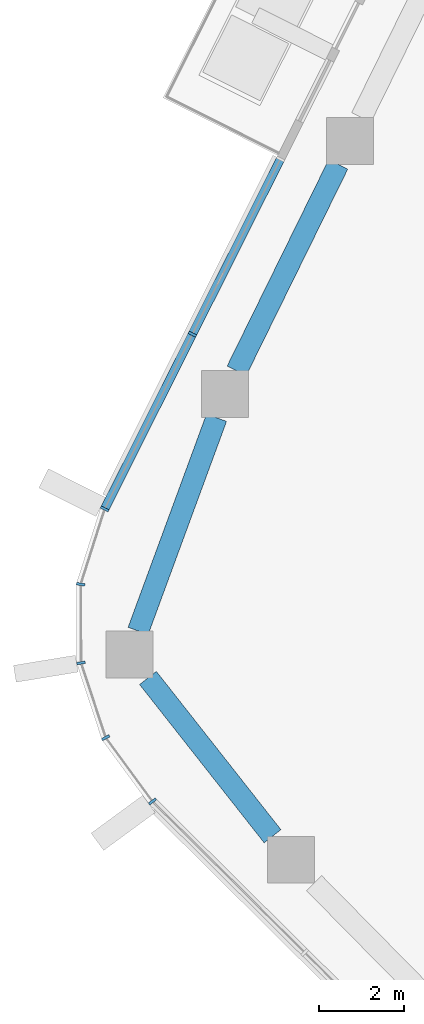
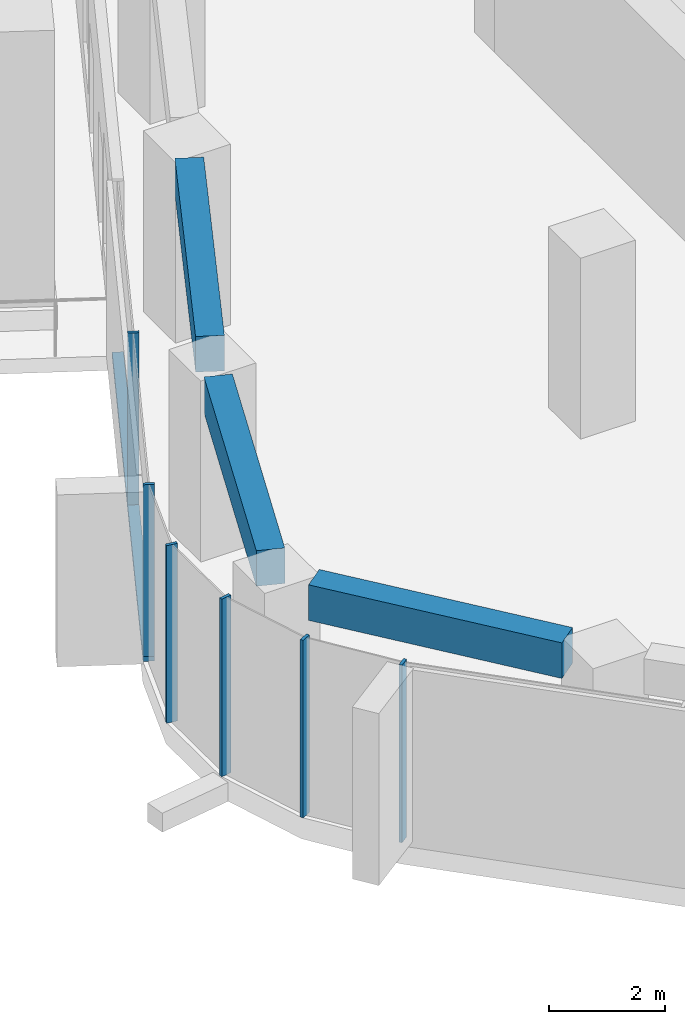
# One storey, part 4 of 22: 7 members, 3 beams, 2 elements without a shape of their own.
"""IFC4 building model written with IfcOpenShell, lengths in metres."""

from ifc_helpers import new_model, si_unit, direction, frame, origin, origin_2d, place, context, subcontext, project, spatial, rectangle, extrude, material, layer, layer_set, material_profile, profile_set, type_object, element, aggregate, save


model = new_model("IFC4")

# Units and contexts
model_context = context("Model", 3, precision=1e-05, world=origin(), true_north=direction((0.0, 1.0)))
body_context = subcontext(model_context, "Body", "Model", "MODEL_VIEW")
ifc_project = project(units=[si_unit("LENGTHUNIT", "METRE"), si_unit("AREAUNIT", "SQUARE_METRE"), si_unit("VOLUMEUNIT", "CUBIC_METRE"), si_unit("PLANEANGLEUNIT", "RADIAN"), si_unit("MASSUNIT", "GRAM", prefix="KILO")], contexts=[model_context])

# Site, building, storey
site_placement = place(None, origin())
site = spatial("IfcSite", under=ifc_project, at=site_placement, CompositionType="ELEMENT")
building_placement = place(site_placement, origin())
building = spatial("IfcBuilding", under=site, at=building_placement, Name="Dongbaek Canopy Tower", CompositionType="ELEMENT")
storey_placement = place(building_placement, frame((0.0, 0.0, 237.0)))
storey = spatial("IfcBuildingStorey", under=building, at=storey_placement, Name="L49", CompositionType="ELEMENT", Elevation=237.0)

# Curtain wall, members
ifc_material_1 = material(Name="Aluminium 6063-T6 pale anodised", Category="aluminium")
ifc_layer = layer(ifc_material_1, 0.199951171875)
ifc_layer_set = layer_set([ifc_layer], Name="CW-1 unitised tower curtain wall")
curtain_wall_type = type_object("IfcCurtainWallType", Name="CW-1 unitised tower curtain wall", PredefinedType="NOTDEFINED", material=ifc_layer_set)
curtain_wall_1_placement = place(storey_placement, origin())
curtain_wall_1 = element("IfcCurtainWall", 1, at=curtain_wall_1_placement, inside=storey, type_object=curtain_wall_type, Name="CW-1 curtain wall F2.1", PredefinedType="NOTDEFINED")
ifc_material_2 = material(Name="Aluminium 6063-T6 pale anodised", Category="aluminium")
ifc_material_profile_1 = material_profile(ifc_material_2, rectangle(XDim=0.199951171875, YDim=0.06005859375, at=origin_2d()), Name="CW-1 mullion 60 x 200")
ifc_profile_set_1 = profile_set([ifc_material_profile_1], Name="Aluminium 6063-T6 pale anodised")
member_type_1 = type_object("IfcMemberType", Name="CW-1 mullion 60 x 200", PredefinedType="MULLION", material=ifc_profile_set_1)
member_1_placement = place(storey_placement, frame((-26.306884765625, 1.48291015625, 0.1201171875), z_axis=(0.0, 0.0, 1.0), x_axis=(-0.893577393042, 0.448909169704, 0.0)))
member_1 = element("IfcMember", 2, at=member_1_placement, type_object=member_type_1, Name="CW-1 mullion F2.1.2", PredefinedType="MULLION", context=body_context, shape_type="SweptSolid", body=[
    extrude(rectangle(XDim=0.199951171875, YDim=0.06005859375, at=origin_2d()), origin(), (0.0, 0.0, 1.0), 3.6298828125),
])
member_2_placement = place(storey_placement, frame((-28.364013671875, -2.6123046875, 0.1201171875), z_axis=(0.0, 0.0, 1.0), x_axis=(-0.893577393042, 0.448909169704, 0.0)))
member_2 = element("IfcMember", 3, at=member_2_placement, type_object=member_type_1, Name="CW-1 mullion F2.1.3", PredefinedType="MULLION", context=body_context, shape_type="SweptSolid", body=[
    extrude(rectangle(XDim=0.199951171875, YDim=0.06005859375, at=origin_2d()), origin(), (0.0, 0.0, 1.0), 3.6298828125),
])

curtain_wall_2_placement = place(storey_placement, origin())
curtain_wall_2 = element("IfcCurtainWall", 4, at=curtain_wall_2_placement, inside=storey, type_object=curtain_wall_type, Name="CW-1 curtain wall K3.1", PredefinedType="NOTDEFINED")
member_3_placement = place(storey_placement, frame((-28.926513671875, -4.376220703125, 0.0), z_axis=(0.0, 0.0, 1.0), x_axis=(-0.988511679619, 0.151144497938, 0.0)))
member_3 = element("IfcMember", 5, at=member_3_placement, type_object=member_type_1, Name="CW-1 mullion K3.1.2", PredefinedType="MULLION", context=body_context, shape_type="SweptSolid", body=[
    extrude(rectangle(XDim=0.199951171875, YDim=0.06005859375, at=origin_2d()), origin(), (0.0, 0.0, 1.0), 3.75),
])
member_4_placement = place(storey_placement, frame((-28.9169921875, -6.2197265625, 0.0), z_axis=(0.0, 0.0, 1.0), x_axis=(-0.986891784514, -0.161383411968, 0.0)))
member_4 = element("IfcMember", 6, at=member_4_placement, type_object=member_type_1, Name="CW-1 mullion K3.1.3", PredefinedType="MULLION", context=body_context, shape_type="SweptSolid", body=[
    extrude(rectangle(XDim=0.199951171875, YDim=0.06005859375, at=origin_2d()), origin(), (0.0, 0.0, 1.0), 3.75),
])
member_5_placement = place(storey_placement, frame((-28.3388671875, -7.97021484375, 0.0), z_axis=(0.0, 0.0, 1.0), x_axis=(-0.888875933118, -0.458147984306, 0.0)))
member_5 = element("IfcMember", 7, at=member_5_placement, type_object=member_type_1, Name="CW-1 mullion K3.1.4", PredefinedType="MULLION", context=body_context, shape_type="SweptSolid", body=[
    extrude(rectangle(XDim=0.199951171875, YDim=0.06005859375, at=origin_2d()), origin(), (0.0, 0.0, 1.0), 3.75),
])
member_6_placement = place(storey_placement, frame((-27.24365234375, -9.46337890625, 0.0), z_axis=(0.0, 0.0, 1.0), x_axis=(-0.806363114239, -0.591420770683, 0.0)))
member_6 = element("IfcMember", 8, at=member_6_placement, type_object=member_type_1, Name="CW-1 mullion K3.1.5", PredefinedType="MULLION", context=body_context, shape_type="SweptSolid", body=[
    extrude(rectangle(XDim=0.199951171875, YDim=0.06005859375, at=origin_2d()), origin(), (0.0, 0.0, 1.0), 3.75),
])
aggregate(curtain_wall_2, [member_3, member_4, member_5, member_6])

# Member
ifc_material_3 = material(Name="Aluminium 6063-T6 pale anodised", Category="aluminium")
ifc_material_profile_2 = material_profile(ifc_material_3, rectangle(XDim=0.199951171875, YDim=0.1201171875, at=origin_2d()), Name="CW-1 transom 120 x 200")
ifc_profile_set_2 = profile_set([ifc_material_profile_2], Name="Aluminium 6063-T6 pale anodised")
member_type_2 = type_object("IfcMemberType", Name="CW-1 transom 120 x 200", PredefinedType="USERDEFINED", material=ifc_profile_set_2)
member_7_placement = place(storey_placement, frame((-24.24609375, 5.5849609375, 0.06005859375), z_axis=(-0.448894796272, -0.893584613721, 0.0), x_axis=(0.893584613721, -0.448894796272, 0.0)))
member_7 = element("IfcMember", 9, at=member_7_placement, type_object=member_type_2, Name="CW-1 transom F2.1.1", ObjectType="TRANSOM", PredefinedType="USERDEFINED", context=body_context, shape_type="SweptSolid", body=[
    extrude(rectangle(XDim=0.199951171875, YDim=0.1201171875, at=origin_2d()), origin(), (0.0, 0.0, 1.0), 9.173583984375),
])

aggregate(curtain_wall_1, [member_1, member_2, member_7])

# Beams
ifc_material_4 = material(Name="Concrete C70", Category="concrete")
ifc_material_profile_3 = material_profile(ifc_material_4, rectangle(XDim=0.5, YDim=0.75, at=origin_2d()), Name="RC EDGE BEAM 500x750 C70")
ifc_profile_set_3 = profile_set([ifc_material_profile_3], Name="Concrete C70")
beam_type = type_object("IfcBeamType", Name="RC EDGE BEAM 500x750 C70", PredefinedType="BEAM", material=ifc_profile_set_3)
beam_1_placement = place(storey_placement, frame((-24.429931640625, -10.279052734375, 3.445068359375), z_axis=(-0.618474671525, 0.785804734449, 0.0), x_axis=(-0.785804734449, -0.618474671525, 0.0)))
element("IfcBeam", 10, at=beam_1_placement, inside=storey, type_object=beam_type, Name="EDGEBEAM:L49:07", PredefinedType="BEAM", context=body_context, shape_type="SweptSolid", body=[
    extrude(rectangle(XDim=0.5, YDim=0.75, at=origin_2d()), origin(), (0.0, 0.0, 1.0), 4.719970703125),
])
beam_2_placement = place(storey_placement, frame((-27.57958984375, -5.469970703125, 3.445068359375), z_axis=(0.345180317771, 0.938536386201, 0.0), x_axis=(-0.938536386201, 0.345180317771, 0.0)))
element("IfcBeam", 11, at=beam_2_placement, inside=storey, type_object=beam_type, Name="EDGEBEAM:L49:08", PredefinedType="BEAM", context=body_context, shape_type="SweptSolid", body=[
    extrude(rectangle(XDim=0.5, YDim=0.75, at=origin_2d()), origin(), (0.0, 0.0, 1.0), 5.322998046875),
])
beam_3_placement = place(storey_placement, frame((-25.26953125, 0.6259765625, 3.445068359375), z_axis=(0.44133161815, 0.897344082736, 0.0), x_axis=(-0.897344082736, 0.44133161815, 0.0)))
element("IfcBeam", 12, at=beam_3_placement, inside=storey, type_object=beam_type, Name="EDGEBEAM:L49:09", PredefinedType="BEAM", context=body_context, shape_type="SweptSolid", body=[
    extrude(rectangle(XDim=0.5, YDim=0.75, at=origin_2d()), origin(), (0.0, 0.0, 1.0), 5.38818359375),
])

save(model, "model.ifc")
